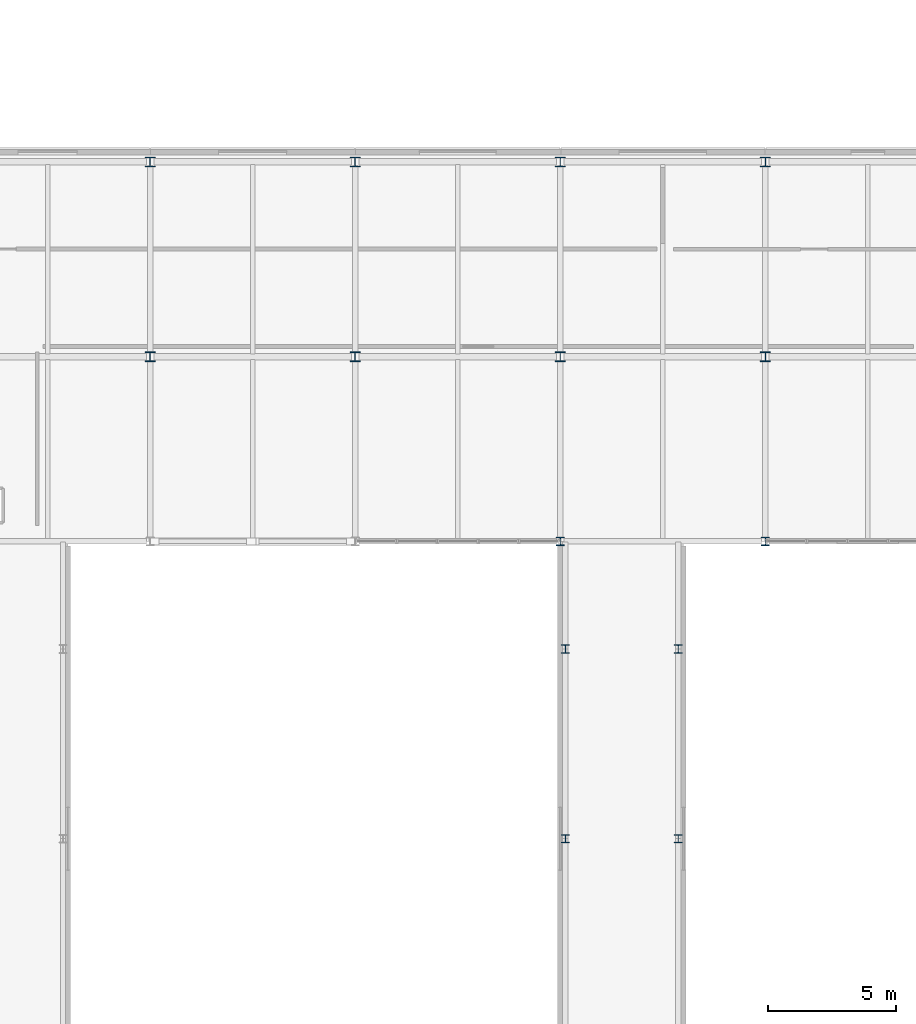
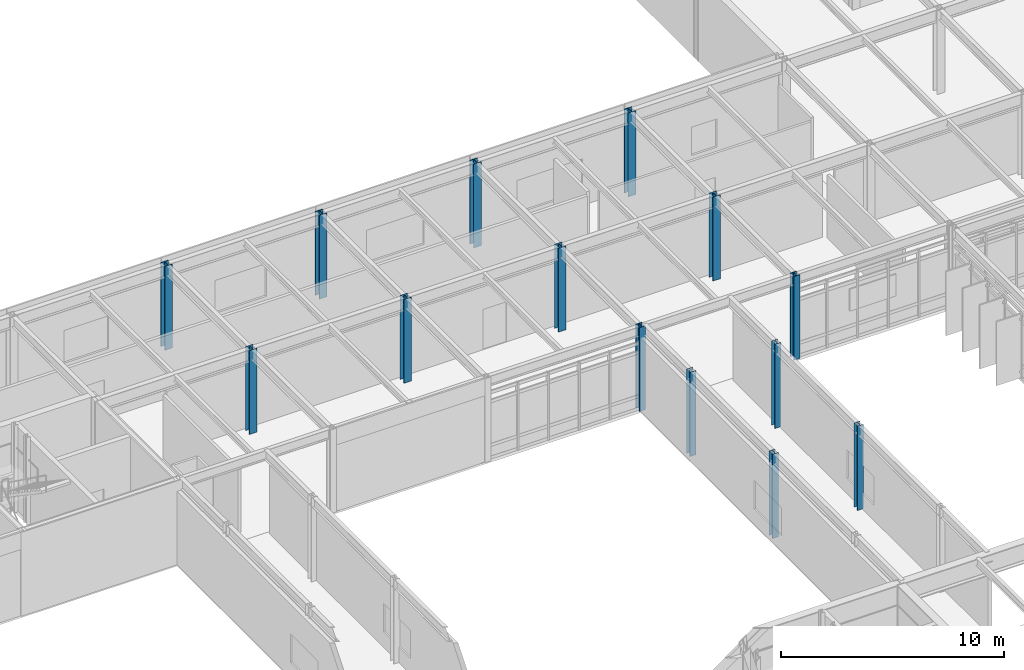
# One storey, part 7 of 104: 14 columns.
"""IFC4 building model written with IfcOpenShell, lengths in metres."""

from ifc_helpers import new_model, si_unit, direction, frame, origin, origin_2d, place, context, subcontext, project, spatial, i_section, extrude, material, material_profile, profile_set, type_object, element, save


model = new_model("IFC4")

# Units and contexts
model_context = context("Model", 3, precision=1e-05, world=origin(), true_north=direction((0.0, 1.0)))
body_context = subcontext(model_context, "Body", "Model", "MODEL_VIEW")
ifc_project = project(units=[si_unit("LENGTHUNIT", "METRE"), si_unit("AREAUNIT", "SQUARE_METRE"), si_unit("VOLUMEUNIT", "CUBIC_METRE"), si_unit("PLANEANGLEUNIT", "RADIAN"), si_unit("MASSUNIT", "GRAM", prefix="KILO")], contexts=[model_context])

# Site, building, storey
site_placement = place(None, origin())
site = spatial("IfcSite", under=ifc_project, at=site_placement, CompositionType="ELEMENT")
building_placement = place(site_placement, origin())
building = spatial("IfcBuilding", under=site, at=building_placement, Name="Zulena Civic Courthouse", CompositionType="ELEMENT")
storey_placement = place(building_placement, frame((0.0, 0.0, 10.800048828125)))
storey = spatial("IfcBuildingStorey", under=building, at=storey_placement, Name="L02", CompositionType="ELEMENT", Elevation=10.800048828125)

# Columns
ifc_material = material(Name="Steel ASTM A992 Grade 50", Category="steel")
ifc_material_profile_1 = material_profile(ifc_material, i_section(OverallWidth=0.31298828125, OverallDepth=0.3330078125, WebThickness=0.01806640625, FlangeThickness=0.0283203125, FilletRadius=0.01513671875, at=origin_2d()), Name="W12X120")
ifc_profile_set_1 = profile_set([ifc_material_profile_1], Name="Steel ASTM A992 Grade 50")
column_type_1 = type_object("IfcColumnType", Name="Col_W12X120", PredefinedType="COLUMN", material=ifc_profile_set_1)
for number, where, z_axis, x_axis, name in (
    (1, (52.0, 46.0, 0.0), (0.0, 0.0, 1.0), (1.0, 0.0, 0.0), "col:V5:L02:52.0:46.0"),
    (2, (60.0, 46.0, 0.0), (0.0, 0.0, 1.0), (1.0, 0.0, 0.0), "col:V5:L02:60.0:46.0"),
):
    element("IfcColumn", number, at=place(storey_placement, frame(where, z_axis=z_axis, x_axis=x_axis)), inside=storey, type_object=column_type_1, Name=name, PredefinedType="COLUMN", context=body_context, shape_type="SweptSolid", body=[
        extrude(i_section(OverallWidth=0.31298828125, OverallDepth=0.3330078125, WebThickness=0.01806640625, FlangeThickness=0.0283203125, FilletRadius=0.01513671875, at=origin_2d()), origin(), (0.0, 0.0, 1.0), 4.58984375),
    ])
ifc_material_profile_2 = material_profile(ifc_material, i_section(OverallWidth=0.30908203125, OverallDepth=0.322998046875, WebThickness=0.013916015625, FlangeThickness=0.02294921875, FilletRadius=0.01513671875, at=origin_2d()), Name="W12X96")
ifc_profile_set_2 = profile_set([ifc_material_profile_2], Name="Steel ASTM A992 Grade 50")
column_type_2 = type_object("IfcColumnType", Name="Col_W12X96", PredefinedType="COLUMN", material=ifc_profile_set_2)
for number, where, z_axis, x_axis, name in (
    (3, (52.199951171875, 34.39990234375, 0.0), (0.0, 0.0, 1.0), (1.0, 0.0, 0.0), "col:bridge:BR-52C:L02:52.20:34.40"),
    (4, (52.199951171875, 41.800048828125, 0.0), (0.0, 0.0, 1.0), (1.0, 0.0, 0.0), "col:bridge:BR-52C:L02:52.20:41.80"),
    (5, (56.60009765625, 34.39990234375, 0.0), (0.0, 0.0, 1.0), (1.0, 0.0, 0.0), "col:bridge:BR-52C:L02:56.60:34.40"),
    (6, (56.60009765625, 41.800048828125, 0.0), (0.0, 0.0, 1.0), (1.0, 0.0, 0.0), "col:bridge:BR-52C:L02:56.60:41.80"),
):
    element("IfcColumn", number, at=place(storey_placement, frame(where, z_axis=z_axis, x_axis=x_axis)), inside=storey, type_object=column_type_2, Name=name, PredefinedType="COLUMN", context=body_context, shape_type="SweptSolid", body=[
        extrude(i_section(OverallWidth=0.30908203125, OverallDepth=0.322998046875, WebThickness=0.013916015625, FlangeThickness=0.02294921875, FilletRadius=0.01513671875, at=origin_2d()), origin(), (0.0, 0.0, 1.0), 4.60498046875),
    ])
ifc_material_profile_3 = material_profile(ifc_material, i_section(OverallWidth=0.39404296875, OverallDepth=0.3759765625, WebThickness=0.017333984375, FlangeThickness=0.027587890625, FilletRadius=0.01513671875, at=origin_2d()), Name="W14X145")
ifc_profile_set_3 = profile_set([ifc_material_profile_3], Name="Steel ASTM A992 Grade 50")
column_type_3 = type_object("IfcColumnType", Name="Col_W14X145", PredefinedType="COLUMN", material=ifc_profile_set_3)
for number, where, z_axis, x_axis, name in (
    (7, (36.0, 53.199951171875, 0.0), (0.0, 0.0, 1.0), (1.0, 0.0, 0.0), "col:V5:L02:36.0:53.2"),
    (8, (36.0, 60.800048828125, 0.0), (0.0, 0.0, 1.0), (1.0, 0.0, 0.0), "col:V5:L02:36.0:60.8"),
    (9, (44.0, 53.199951171875, 0.0), (0.0, 0.0, 1.0), (1.0, 0.0, 0.0), "col:V5:L02:44.0:53.2"),
    (10, (44.0, 60.800048828125, 0.0), (0.0, 0.0, 1.0), (1.0, 0.0, 0.0), "col:V5:L02:44.0:60.8"),
    (11, (52.0, 53.199951171875, 0.0), (0.0, 0.0, 1.0), (1.0, 0.0, 0.0), "col:V5:L02:52.0:53.2"),
    (12, (52.0, 60.800048828125, 0.0), (0.0, 0.0, 1.0), (1.0, 0.0, 0.0), "col:V5:L02:52.0:60.8"),
    (13, (60.0, 53.199951171875, 0.0), (0.0, 0.0, 1.0), (1.0, 0.0, 0.0), "col:V5:L02:60.0:53.2"),
    (14, (60.0, 60.800048828125, 0.0), (0.0, 0.0, 1.0), (1.0, 0.0, 0.0), "col:V5:L02:60.0:60.8"),
):
    element("IfcColumn", number, at=place(storey_placement, frame(where, z_axis=z_axis, x_axis=x_axis)), inside=storey, type_object=column_type_3, Name=name, PredefinedType="COLUMN", context=body_context, shape_type="SweptSolid", body=[
        extrude(i_section(OverallWidth=0.39404296875, OverallDepth=0.3759765625, WebThickness=0.017333984375, FlangeThickness=0.027587890625, FilletRadius=0.01513671875, at=origin_2d()), origin(), (0.0, 0.0, 1.0), 4.58984375),
    ])

save(model, "model.ifc")
